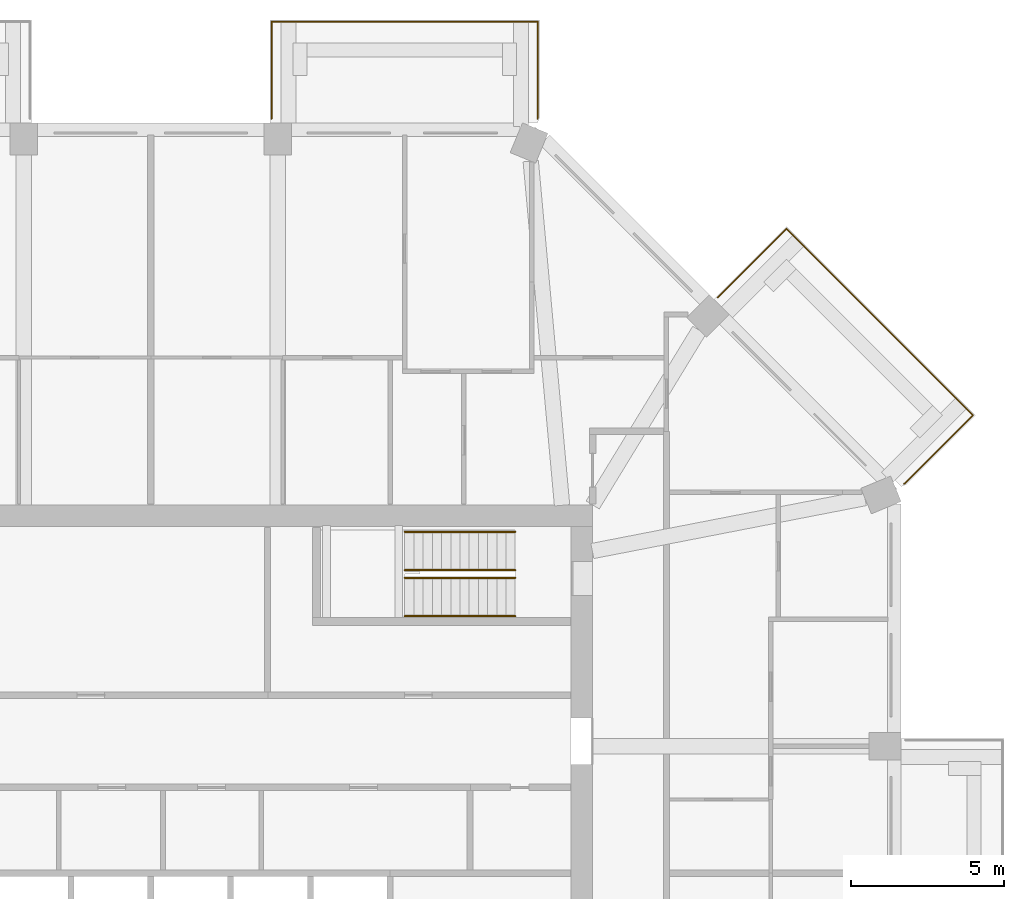
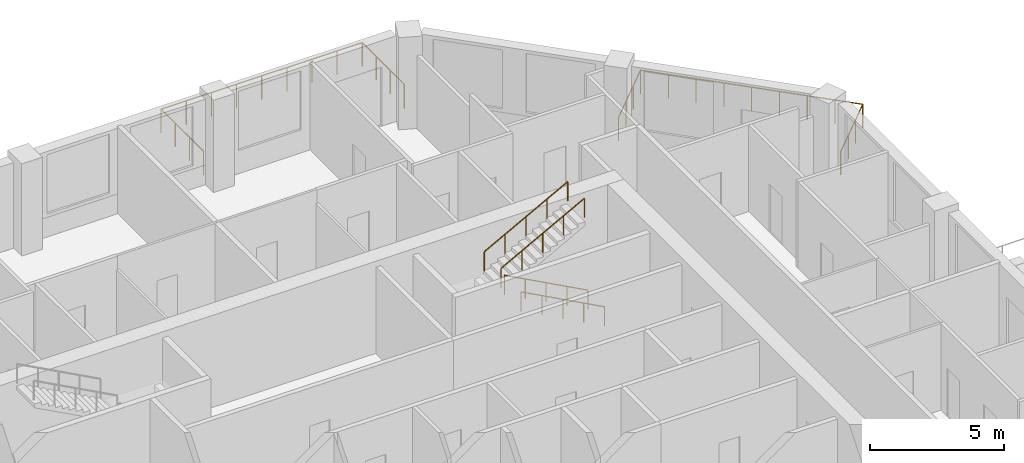
# One storey, part 12 of 12: 6 railings.
"""IFC4 building model written with IfcOpenShell, lengths in metres."""

from ifc_helpers import new_model, si_unit, direction, frame, origin, origin_2d, place, context, subcontext, project, spatial, circle, extrude, material, constituent, constituent_set, type_object, element, save


model = new_model("IFC4")

# Units and contexts
model_context = context("Model", 3, precision=1e-05, world=origin(), true_north=direction((0.0, 1.0)))
body_context = subcontext(model_context, "Body", "Model", "MODEL_VIEW")
ifc_project = project(units=[si_unit("LENGTHUNIT", "METRE"), si_unit("AREAUNIT", "SQUARE_METRE"), si_unit("VOLUMEUNIT", "CUBIC_METRE"), si_unit("PLANEANGLEUNIT", "RADIAN"), si_unit("MASSUNIT", "GRAM", prefix="KILO")], contexts=[model_context])

# Site, building, storey
site_placement = place(None, origin())
site = spatial("IfcSite", under=ifc_project, at=site_placement, CompositionType="ELEMENT")
building_placement = place(site_placement, origin())
building = spatial("IfcBuilding", under=site, at=building_placement, Name="Msitu Wima Residences", CompositionType="ELEMENT")
storey_placement = place(building_placement, frame((0.0, 0.0, 174.89990234375)))
storey = spatial("IfcBuildingStorey", under=building, at=storey_placement, Name="L40", CompositionType="ELEMENT", Elevation=174.89990234375)

# Railings
ifc_material_1 = material(Name="Steel S355", Category="steel")
ifc_constituent_1 = constituent(ifc_material_1, Name="Steel S355")
ifc_material_2 = material(Name="Weathering patina")
ifc_constituent_2 = constituent(ifc_material_2, Name="Weathering patina")
ifc_constituent_set_1 = constituent_set(constituents=[ifc_constituent_1, ifc_constituent_2], Name="Steel S355")
railing_type_1 = type_object("IfcRailingType", Name="Balcony guard GR1100", PredefinedType="GUARDRAIL", material=ifc_constituent_set_1)
railing_1_placement = place(storey_placement, frame((18.474609375, 18.75732421875, 0.0)))
element("IfcRailing", 1, at=railing_1_placement, inside=storey, type_object=railing_type_1, Name="Balcony guard NE0 L40", PredefinedType="GUARDRAIL", context=body_context, shape_type="SweptSolid", body=[
    extrude(circle(Radius=0.02392578125, at=origin_2d()), frame((0.0, 0.0, 1.076171875), z_axis=(0.707068272989, 0.707145287287, 0.0), x_axis=(-0.707145287287, 0.707068272989, 0.0)), (0.0, 0.0, 1.0), 3.170166015625),
    extrude(circle(Radius=0.02392578125, at=origin_2d()), frame((2.241455078125, 2.24169921875, 1.076171875), z_axis=(0.707106781187, -0.707106781187, 0.0), x_axis=(0.707106781187, 0.707106781187, 0.0)), (0.0, 0.0, 1.0), 8.593994140625),
    extrude(circle(Radius=0.02392578125, at=origin_2d()), frame((8.318359375, -3.835205078125, 1.076171875), z_axis=(-0.707067861805, -0.707145698426, 0.0), x_axis=(0.707145698426, -0.707067861805, 0.0)), (0.0, 0.0, 1.0), 3.136474609375),
    extrude(circle(Radius=0.02392578125, at=origin_2d()), frame((6.1005859375, -6.05322265625, 1.076171875), z_axis=(-0.923276184907, -0.384136806859, 0.0), x_axis=(0.384136806859, -0.923276184907, 0.0)), (0.0, 0.0, 1.0), 0.0361328125),
    extrude(circle(Radius=0.02099609375, at=origin_2d()), origin(), (0.0, 0.0, 1.0), 1.052001953125),
    extrude(circle(Radius=0.02099609375, at=origin_2d()), frame((0.7470703125, 0.747314453125, 0.0)), (0.0, 0.0, 1.0), 1.052001953125),
    extrude(circle(Radius=0.02099609375, at=origin_2d()), frame((1.494384765625, 1.494384765625, 0.0)), (0.0, 0.0, 1.0), 1.052001953125),
    extrude(circle(Radius=0.02099609375, at=origin_2d()), frame((2.241455078125, 2.24169921875, 0.0)), (0.0, 0.0, 1.0), 1.052001953125),
    extrude(circle(Radius=0.02099609375, at=origin_2d()), frame((3.0009765625, 1.482177734375, 0.0)), (0.0, 0.0, 1.0), 1.052001953125),
    extrude(circle(Radius=0.02099609375, at=origin_2d()), frame((3.7607421875, 0.722412109375, 0.0)), (0.0, 0.0, 1.0), 1.052001953125),
    extrude(circle(Radius=0.02099609375, at=origin_2d()), frame((4.520263671875, -0.037109375, 0.0)), (0.0, 0.0, 1.0), 1.052001953125),
    extrude(circle(Radius=0.02099609375, at=origin_2d()), frame((5.27978515625, -0.796875, 0.0)), (0.0, 0.0, 1.0), 1.052001953125),
    extrude(circle(Radius=0.02099609375, at=origin_2d()), frame((6.03955078125, -1.556396484375, 0.0)), (0.0, 0.0, 1.0), 1.052001953125),
    extrude(circle(Radius=0.02099609375, at=origin_2d()), frame((6.799072265625, -2.31591796875, 0.0)), (0.0, 0.0, 1.0), 1.052001953125),
    extrude(circle(Radius=0.02099609375, at=origin_2d()), frame((7.558837890625, -3.07568359375, 0.0)), (0.0, 0.0, 1.0), 1.052001953125),
    extrude(circle(Radius=0.02099609375, at=origin_2d()), frame((8.318359375, -3.835205078125, 0.0)), (0.0, 0.0, 1.0), 1.052001953125),
    extrude(circle(Radius=0.02099609375, at=origin_2d()), frame((7.5791015625, -4.574462890625, 0.0)), (0.0, 0.0, 1.0), 1.052001953125),
    extrude(circle(Radius=0.02099609375, at=origin_2d()), frame((6.83984375, -5.31396484375, 0.0)), (0.0, 0.0, 1.0), 1.052001953125),
    extrude(circle(Radius=0.02099609375, at=origin_2d()), frame((6.1005859375, -6.05322265625, 0.0)), (0.0, 0.0, 1.0), 1.052001953125),
    extrude(circle(Radius=0.02099609375, at=origin_2d()), frame((6.067138671875, -6.067138671875, 0.0)), (0.0, 0.0, 1.0), 1.052001953125),
])
railing_2_placement = place(storey_placement, frame((3.937255859375, 24.580078125, 0.0)))
element("IfcRailing", 2, at=railing_2_placement, inside=storey, type_object=railing_type_1, Name="Balcony guard N0 L40", PredefinedType="GUARDRAIL", context=body_context, shape_type="SweptSolid", body=[
    extrude(circle(Radius=0.02392578125, at=origin_2d()), frame((0.0, 0.0, 1.076171875), z_axis=(0.0, 1.0, 0.0), x_axis=(-1.0, 0.0, 0.0)), (0.0, 0.0, 1.0), 3.169921875),
    extrude(circle(Radius=0.02392578125, at=origin_2d()), frame((0.0, 3.169921875, 1.076171875), z_axis=(1.0, 0.0, 0.0), x_axis=(0.0, 1.0, 0.0)), (0.0, 0.0, 1.0), 8.674560546875),
    extrude(circle(Radius=0.02392578125, at=origin_2d()), frame((8.674560546875, 3.169921875, 1.076171875), z_axis=(0.0, -1.0, 0.0), x_axis=(1.0, 0.0, 0.0)), (0.0, 0.0, 1.0), 3.136474609375),
    extrude(circle(Radius=0.02392578125, at=origin_2d()), frame((8.674560546875, 0.033447265625, 1.076171875), z_axis=(-0.384136806859, -0.923276184907, 0.0), x_axis=(0.923276184907, -0.384136806859, 0.0)), (0.0, 0.0, 1.0), 0.0361328125),
    extrude(circle(Radius=0.02099609375, at=origin_2d()), origin(), (0.0, 0.0, 1.0), 1.052001953125),
    extrude(circle(Radius=0.02099609375, at=origin_2d()), frame((0.0, 1.056640625, 0.0)), (0.0, 0.0, 1.0), 1.052001953125),
    extrude(circle(Radius=0.02099609375, at=origin_2d()), frame((0.0, 2.11328125, 0.0)), (0.0, 0.0, 1.0), 1.052001953125),
    extrude(circle(Radius=0.02099609375, at=origin_2d()), frame((0.0, 3.169921875, 0.0)), (0.0, 0.0, 1.0), 1.052001953125),
    extrude(circle(Radius=0.02099609375, at=origin_2d()), frame((1.084228515625, 3.169921875, 0.0)), (0.0, 0.0, 1.0), 1.052001953125),
    extrude(circle(Radius=0.02099609375, at=origin_2d()), frame((2.168701171875, 3.169921875, 0.0)), (0.0, 0.0, 1.0), 1.052001953125),
    extrude(circle(Radius=0.02099609375, at=origin_2d()), frame((3.2529296875, 3.169921875, 0.0)), (0.0, 0.0, 1.0), 1.052001953125),
    extrude(circle(Radius=0.02099609375, at=origin_2d()), frame((4.33740234375, 3.169921875, 0.0)), (0.0, 0.0, 1.0), 1.052001953125),
    extrude(circle(Radius=0.02099609375, at=origin_2d()), frame((5.421630859375, 3.169921875, 0.0)), (0.0, 0.0, 1.0), 1.052001953125),
    extrude(circle(Radius=0.02099609375, at=origin_2d()), frame((6.505859375, 3.169921875, 0.0)), (0.0, 0.0, 1.0), 1.052001953125),
    extrude(circle(Radius=0.02099609375, at=origin_2d()), frame((7.59033203125, 3.169921875, 0.0)), (0.0, 0.0, 1.0), 1.052001953125),
    extrude(circle(Radius=0.02099609375, at=origin_2d()), frame((8.674560546875, 3.169921875, 0.0)), (0.0, 0.0, 1.0), 1.052001953125),
    extrude(circle(Radius=0.02099609375, at=origin_2d()), frame((8.674560546875, 2.12451171875, 0.0)), (0.0, 0.0, 1.0), 1.052001953125),
    extrude(circle(Radius=0.02099609375, at=origin_2d()), frame((8.674560546875, 1.078857421875, 0.0)), (0.0, 0.0, 1.0), 1.052001953125),
    extrude(circle(Radius=0.02099609375, at=origin_2d()), frame((8.674560546875, 0.033447265625, 0.0)), (0.0, 0.0, 1.0), 1.052001953125),
    extrude(circle(Radius=0.02099609375, at=origin_2d()), frame((8.66064453125, 0.0, 0.0)), (0.0, 0.0, 1.0), 1.052001953125),
])
ifc_constituent_3 = constituent(ifc_material_1, Name="Steel S355")
ifc_material_3 = material(Name="Black powder coating")
ifc_constituent_4 = constituent(ifc_material_3, Name="Black powder coating")
ifc_constituent_set_2 = constituent_set(constituents=[ifc_constituent_3, ifc_constituent_4], Name="Steel S355")
railing_type_2 = type_object("IfcRailingType", Name="Stair handrail HR1", PredefinedType="HANDRAIL", material=ifc_constituent_set_2)
for number, where, name in (
    (3, (11.875, 8.375, 0.16162109375), "Stair 3 handrail"),
    (4, (11.875, 9.625, 0.16162109375), "Stair 3 handrail"),
):
    element("IfcRailing", number, at=place(storey_placement, frame(where)), inside=storey, type_object=railing_type_2, Name=name, PredefinedType="HANDRAIL", context=body_context, shape_type="SweptSolid", body=[
        extrude(circle(Radius=0.02392578125, at=origin_2d()), frame((0.0, 0.0, 0.8759765625), z_axis=(-0.880474934443, 0.0, 0.474092701714), x_axis=(0.0, -1.0, 0.0)), (0.0, 0.0, 1.0), 4.0888671875),
        extrude(circle(Radius=0.02099609375, at=origin_2d()), origin(), (0.0, 0.0, 1.0), 0.851806640625),
        extrude(circle(Radius=0.02099609375, at=origin_2d()), frame((-0.89990234375, 0.0, 0.484619140625)), (0.0, 0.0, 1.0), 0.851806640625),
        extrude(circle(Radius=0.02099609375, at=origin_2d()), frame((-1.800048828125, 0.0, 0.96923828125)), (0.0, 0.0, 1.0), 0.851806640625),
        extrude(circle(Radius=0.02099609375, at=origin_2d()), frame((-2.7001953125, 0.0, 1.453857421875)), (0.0, 0.0, 1.0), 0.851806640625),
        extrude(circle(Radius=0.02099609375, at=origin_2d()), frame((-3.60009765625, 0.0, 1.9384765625)), (0.0, 0.0, 1.0), 0.851806640625),
    ])
for number, where, name in (
    (5, (8.27490234375, 9.875, 2.26171875), "Stair 3 handrail"),
    (6, (8.27490234375, 11.125, 2.26171875), "Stair 3 handrail"),
):
    element("IfcRailing", number, at=place(storey_placement, frame(where)), inside=storey, type_object=railing_type_2, Name=name, PredefinedType="HANDRAIL", context=body_context, shape_type="SweptSolid", body=[
        extrude(circle(Radius=0.02392578125, at=origin_2d()), frame((0.0, 0.0, 0.8759765625), z_axis=(0.880474934443, 0.0, 0.474092701714), x_axis=(0.0, 1.0, 0.0)), (0.0, 0.0, 1.0), 4.0888671875),
        extrude(circle(Radius=0.02099609375, at=origin_2d()), origin(), (0.0, 0.0, 1.0), 0.851806640625),
        extrude(circle(Radius=0.02099609375, at=origin_2d()), frame((0.89990234375, 0.0, 0.484619140625)), (0.0, 0.0, 1.0), 0.851806640625),
        extrude(circle(Radius=0.02099609375, at=origin_2d()), frame((1.800048828125, 0.0, 0.96923828125)), (0.0, 0.0, 1.0), 0.851806640625),
        extrude(circle(Radius=0.02099609375, at=origin_2d()), frame((2.7001953125, 0.0, 1.453857421875)), (0.0, 0.0, 1.0), 0.851806640625),
        extrude(circle(Radius=0.02099609375, at=origin_2d()), frame((3.60009765625, 0.0, 1.9384765625)), (0.0, 0.0, 1.0), 0.851806640625),
    ])

save(model, "model.ifc")
